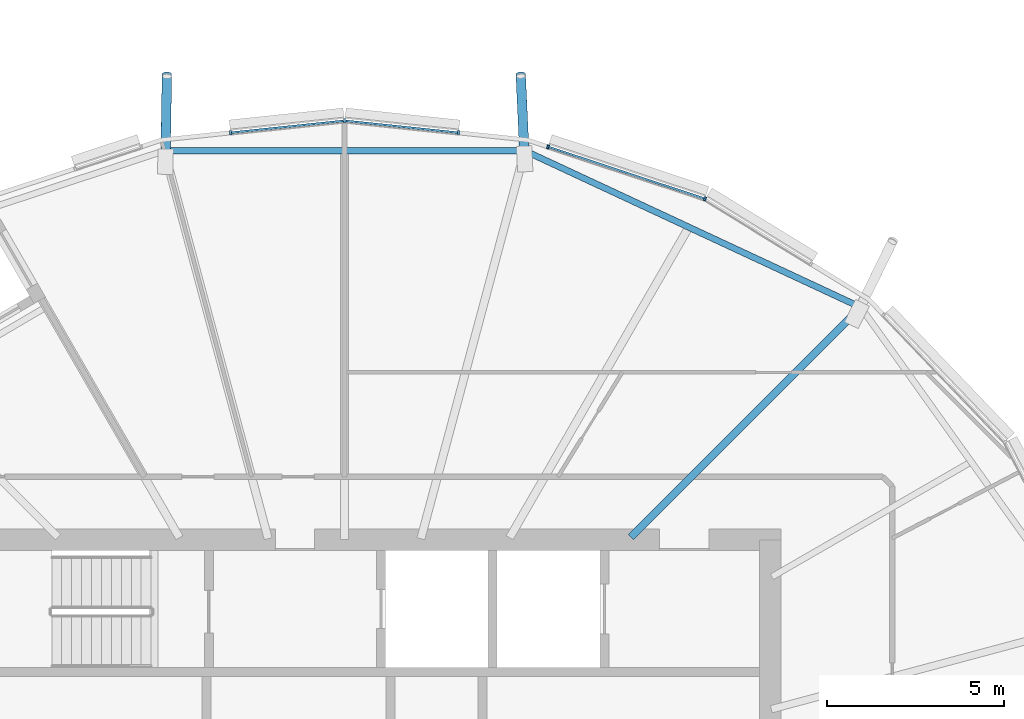
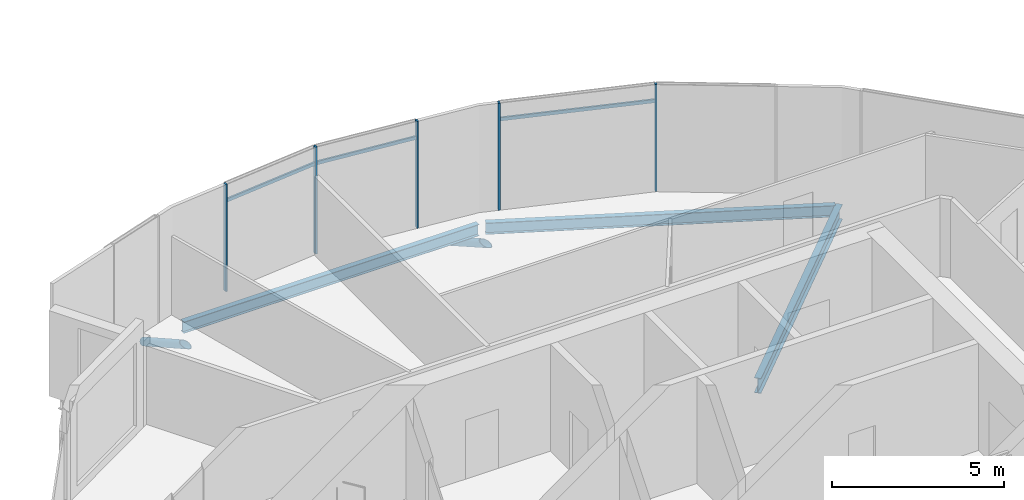
# One storey, part 9 of 36: 10 members, 3 beams, 1 element without a shape of its own.
"""IFC4 building model written with IfcOpenShell, lengths in metres."""

from ifc_helpers import new_model, si_unit, direction, frame, origin, origin_2d, place, context, subcontext, project, spatial, rectangle, hollow_circle, i_section, extrude, clip, halfspace, material, material_profile, profile_set, type_object, element, aggregate, save


model = new_model("IFC4")

# Units and contexts
model_context = context("Model", 3, precision=1e-05, world=origin(), true_north=direction((0.0, 1.0)))
body_context = subcontext(model_context, "Body", "Model", "MODEL_VIEW")
ifc_project = project(units=[si_unit("LENGTHUNIT", "METRE"), si_unit("AREAUNIT", "SQUARE_METRE"), si_unit("VOLUMEUNIT", "CUBIC_METRE"), si_unit("PLANEANGLEUNIT", "RADIAN"), si_unit("MASSUNIT", "GRAM", prefix="KILO")], contexts=[model_context])

# Site, building, storey
site_placement = place(None, origin())
site = spatial("IfcSite", under=ifc_project, at=site_placement, CompositionType="ELEMENT")
building_placement = place(site_placement, origin())
building = spatial("IfcBuilding", under=site, at=building_placement, Name="Rimbun Link Towers", CompositionType="ELEMENT")
storey_placement = place(building_placement, frame((0.0, 0.0, 174.10009765625)))
storey = spatial("IfcBuildingStorey", under=building, at=storey_placement, Name="L42", CompositionType="ELEMENT", Elevation=174.10009765625)

# Curtain wall, members
ifc_material_1 = material(Name="Aluminium 6063-T6 and low-iron glass", Category="aluminium")
curtain_wall_type = type_object("IfcCurtainWallType", Name="CW1-Z3 unitised vision wall (zone 3)", PredefinedType="NOTDEFINED", material=ifc_material_1)
curtain_wall_placement = place(storey_placement, origin())
curtain_wall = element("IfcCurtainWall", 1, at=curtain_wall_placement, inside=storey, type_object=curtain_wall_type, Name="CW1 L42 T1", PredefinedType="NOTDEFINED")
ifc_material_2 = material(Name="Aluminium 6063-T6", Category="aluminium")
ifc_material_profile_1 = material_profile(ifc_material_2, rectangle(XDim=0.1201171875, YDim=0.06005859375, at=origin_2d()), Name="MULLION 60X120")
ifc_profile_set_1 = profile_set([ifc_material_profile_1], Name="Aluminium 6063-T6")
member_type_1 = type_object("IfcMemberType", Name="CW1 mullion 60X120", PredefinedType="MULLION", material=ifc_profile_set_1)
member_1_placement = place(storey_placement, frame((-21.590087890625, 17.60791015625, 0.0), z_axis=(0.0, 0.0, 1.0), x_axis=(0.421696857655, 0.906736874867, 0.0)))
member_1 = element("IfcMember", 2, at=member_1_placement, type_object=member_type_1, Name="CW1 mullion", PredefinedType="MULLION", context=body_context, shape_type="SweptSolid", body=[
    extrude(rectangle(XDim=0.1201171875, YDim=0.06005859375, at=origin_2d()), origin(), (0.0, 0.0, 1.0), 3.7998046875),
])
member_2_placement = place(storey_placement, frame((-26.01513671875, 19.07470703125, 0.0), z_axis=(0.0, 0.0, 1.0), x_axis=(0.314560279601, 0.949237499521, 0.0)))
member_2 = element("IfcMember", 3, at=member_2_placement, type_object=member_type_1, Name="CW1 mullion", PredefinedType="MULLION", context=body_context, shape_type="SweptSolid", body=[
    extrude(rectangle(XDim=0.1201171875, YDim=0.06005859375, at=origin_2d()), origin(), (0.0, 0.0, 1.0), 3.7998046875),
])
member_3_placement = place(storey_placement, frame((-31.75, 19.80859375, 0.0), z_axis=(0.0, 0.0, 1.0), x_axis=(0.0, 1.0, 0.0)))
member_3 = element("IfcMember", 4, at=member_3_placement, type_object=member_type_1, Name="CW1 mullion", PredefinedType="MULLION", context=body_context, shape_type="SweptSolid", body=[
    extrude(rectangle(XDim=0.1201171875, YDim=0.06005859375, at=origin_2d()), origin(), (0.0, 0.0, 1.0), 3.7998046875),
])
member_4_placement = place(storey_placement, frame((-28.53662109375, 19.470458984375, 0.0), z_axis=(0.0, 0.0, 1.0), x_axis=(0.104737092036, 0.994499945476, 0.0)))
member_4 = element("IfcMember", 5, at=member_4_placement, type_object=member_type_1, Name="CW1 mullion", PredefinedType="MULLION", context=body_context, shape_type="SweptSolid", body=[
    extrude(rectangle(XDim=0.1201171875, YDim=0.06005859375, at=origin_2d()), origin(), (0.0, 0.0, 1.0), 3.7998046875),
])
member_5_placement = place(storey_placement, frame((-34.96337890625, 19.470458984375, 0.0), z_axis=(0.0, 0.0, 1.0), x_axis=(-0.104737092036, 0.994499945476, 0.0)))
member_5 = element("IfcMember", 6, at=member_5_placement, type_object=member_type_1, Name="CW1 mullion", PredefinedType="MULLION", context=body_context, shape_type="SweptSolid", body=[
    extrude(rectangle(XDim=0.1201171875, YDim=0.06005859375, at=origin_2d()), origin(), (0.0, 0.0, 1.0), 3.7998046875),
])
ifc_material_3 = material(Name="Aluminium 6063-T6", Category="aluminium")
ifc_material_profile_2 = material_profile(ifc_material_3, rectangle(XDim=0.06005859375, YDim=0.1201171875, at=origin_2d()), Name="TRANSOM 60X120")
ifc_profile_set_2 = profile_set([ifc_material_profile_2], Name="Aluminium 6063-T6")
member_type_2 = type_object("IfcMemberType", Name="CW1 transom 60X120", PredefinedType="USERDEFINED", material=ifc_profile_set_2)
member_6_placement = place(storey_placement, frame((-25.9873046875, 19.0634765625, 3.199951171875), z_axis=(0.949239729091, -0.314553551426, 0.0), x_axis=(0.314553551426, 0.949239729091, 0.0)))
member_6 = element("IfcMember", 7, at=member_6_placement, type_object=member_type_2, Name="CW1 transom", ObjectType="TRANSOM", PredefinedType="USERDEFINED", context=body_context, shape_type="SweptSolid", body=[
    extrude(rectangle(XDim=0.06005859375, YDim=0.1201171875, at=origin_2d()), origin(), (0.0, 0.0, 1.0), 4.5947265625),
])
member_7_placement = place(storey_placement, frame((-31.714111328125, 19.80322265625, 3.199951171875), z_axis=(0.994497841897, -0.104757064016, 0.0), x_axis=(0.104757064016, 0.994497841897, 0.0)))
member_7 = element("IfcMember", 8, at=member_7_placement, type_object=member_type_2, Name="CW1 transom", ObjectType="TRANSOM", PredefinedType="USERDEFINED", context=body_context, shape_type="SweptSolid", body=[
    extrude(rectangle(XDim=0.06005859375, YDim=0.1201171875, at=origin_2d()), origin(), (0.0, 0.0, 1.0), 3.164794921875),
])
member_8_placement = place(storey_placement, frame((-34.933349609375, 19.4716796875, 3.199951171875), z_axis=(0.994497841897, 0.104757064016, 0.0), x_axis=(-0.104757064016, 0.994497841897, 0.0)))
member_8 = element("IfcMember", 9, at=member_8_placement, type_object=member_type_2, Name="CW1 transom", ObjectType="TRANSOM", PredefinedType="USERDEFINED", context=body_context, shape_type="SweptSolid", body=[
    extrude(rectangle(XDim=0.06005859375, YDim=0.1201171875, at=origin_2d()), origin(), (0.0, 0.0, 1.0), 3.164794921875),
])
aggregate(curtain_wall, [member_1, member_2, member_3, member_4, member_5, member_6, member_7, member_8])

# Members
ifc_material_4 = material(Name="Steel S355J2H", Category="steel")
ifc_material_profile_3 = material_profile(ifc_material_4, hollow_circle(Radius=0.136474609375, WallThickness=0.012451171875, at=origin_2d()), Name="CHS 273x12.5")
ifc_profile_set_3 = profile_set([ifc_material_profile_3], Name="Steel S355J2H")
member_type_3 = type_object("IfcMemberType", Name="Floor edge link CHS 273x12.5", PredefinedType="BRACE", material=ifc_profile_set_3)
member_9_placement = place(storey_placement, frame((-26.68212890625, 18.913818359375, -0.8720703125), z_axis=(-0.040919470734, 0.875793032388, -0.480949229478), x_axis=(-0.998910275526, -0.046671848569, 0.0)))
element("IfcMember", 10, at=member_9_placement, inside=storey, type_object=member_type_3, Name="Floor edge link T1 L42 05", PredefinedType="BRACE", context=body_context, shape_type="Clipping", body=[
    clip(extrude(hollow_circle(Radius=0.136474609375, WallThickness=0.012451171875, at=origin_2d()), frame((0.0, 0.0, -0.518310546875)), (0.0, 0.0, 1.0), 3.0361328125), halfspace(frame((0.0, 0.0, -0.244140625), z_axis=(0.0, 0.876748446628, -0.480949229478)), False)),
])
member_10_placement = place(storey_placement, frame((-36.794677734375, 18.826904296875, -0.870849609375), z_axis=(0.014739812193, 0.868536480747, -0.495406014848), x_axis=(-0.999856026031, 0.016968417989, 0.0)))
element("IfcMember", 11, at=member_10_placement, inside=storey, type_object=member_type_3, Name="Floor edge link T1 L42 07", PredefinedType="BRACE", context=body_context, shape_type="Clipping", body=[
    clip(extrude(hollow_circle(Radius=0.136474609375, WallThickness=0.012451171875, at=origin_2d()), frame((0.0, 0.0, -0.498779296875)), (0.0, 0.0, 1.0), 3.132568359375), halfspace(frame((0.0, 0.0, -0.234375), z_axis=(0.0, 0.868661545397, -0.495406014848)), False)),
])

# Beams
ifc_material_5 = material(Name="Steel S355J2", Category="steel")
ifc_material_profile_4 = material_profile(ifc_material_5, i_section(OverallWidth=0.177978515625, OverallDepth=0.406494140625, WebThickness=0.0078125, FlangeThickness=0.0126953125, at=origin_2d()), Name="UB 406x178x60")
ifc_profile_set_4 = profile_set([ifc_material_profile_4], Name="Steel S355J2")
beam_type_1 = type_object("IfcBeamType", Name="UB 406x178x60", PredefinedType="BEAM", material=ifc_profile_set_4)
beam_1_placement = place(storey_placement, frame((-17.30224609375, 14.596923828125, -0.353271484375), z_axis=(-0.906407653758, 0.422404030768, 0.0), x_axis=(-0.422404030768, -0.906407653758, 0.0)))
element("IfcBeam", 12, at=beam_1_placement, inside=storey, type_object=beam_type_1, Name="Edge beam T1 L42 03-05", PredefinedType="BEAM", context=body_context, shape_type="SweptSolid", body=[
    extrude(i_section(OverallWidth=0.177978515625, OverallDepth=0.406494140625, WebThickness=0.0078125, FlangeThickness=0.0126953125, at=origin_2d()), origin(), (0.0, 0.0, 1.0), 10.217529296875),
])
beam_2_placement = place(storey_placement, frame((-26.787841796875, 18.962158203125, -0.353271484375), z_axis=(-1.0, 0.0, 0.0), x_axis=(0.0, -1.0, 0.0)))
element("IfcBeam", 13, at=beam_2_placement, inside=storey, type_object=beam_type_1, Name="Edge beam T1 L42 05-07", PredefinedType="BEAM", context=body_context, shape_type="SweptSolid", body=[
    extrude(i_section(OverallWidth=0.177978515625, OverallDepth=0.406494140625, WebThickness=0.0078125, FlangeThickness=0.0126953125, at=origin_2d()), origin(), (0.0, 0.0, 1.0), 9.92431640625),
])
ifc_material_6 = material(Name="Steel S355J2", Category="steel")
ifc_material_profile_5 = material_profile(ifc_material_6, i_section(OverallWidth=0.209228515625, OverallDepth=0.533203125, WebThickness=0.010009765625, FlangeThickness=0.015625, at=origin_2d()), Name="UB 533x210x92")
ifc_profile_set_5 = profile_set([ifc_material_profile_5], Name="Steel S355J2")
beam_type_2 = type_object("IfcBeamType", Name="UB 533x210x92", PredefinedType="BEAM", material=ifc_profile_set_5)
beam_3_placement = place(storey_placement, frame((-23.67529296875, 8.07470703125, -0.416748046875), z_axis=(0.707106781187, 0.707106781187, 0.0), x_axis=(-0.707106781187, 0.707106781187, 0.0)))
element("IfcBeam", 14, at=beam_3_placement, inside=storey, type_object=beam_type_2, Name="Radial beam T1 L42 03", PredefinedType="BEAM", context=body_context, shape_type="SweptSolid", body=[
    extrude(i_section(OverallWidth=0.209228515625, OverallDepth=0.533203125, WebThickness=0.010009765625, FlangeThickness=0.015625, at=origin_2d()), origin(), (0.0, 0.0, 1.0), 9.15673828125),
])

save(model, "model.ifc")
